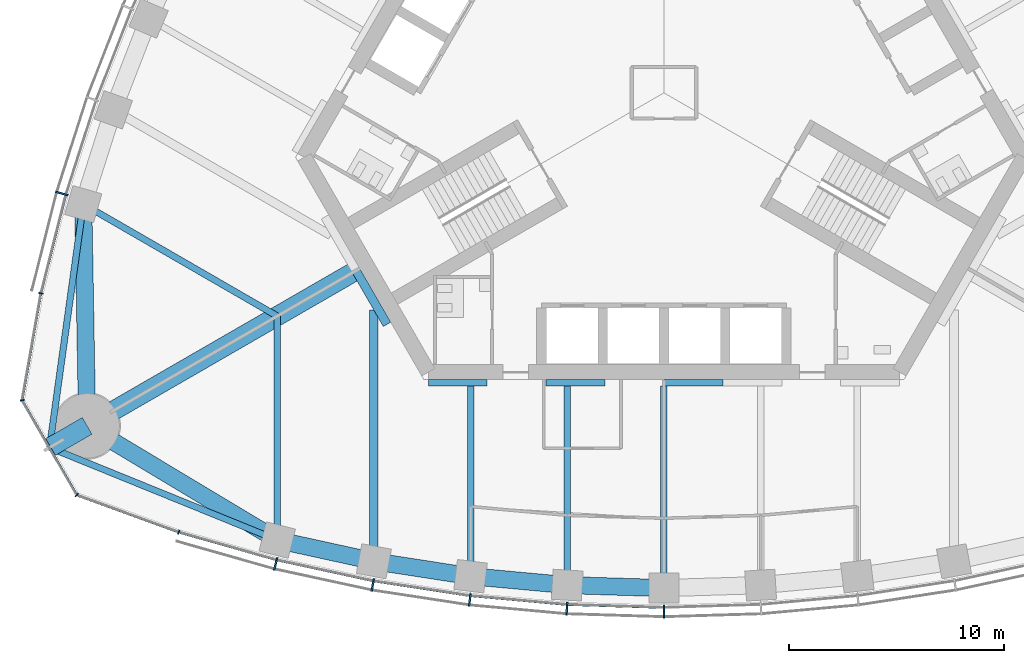
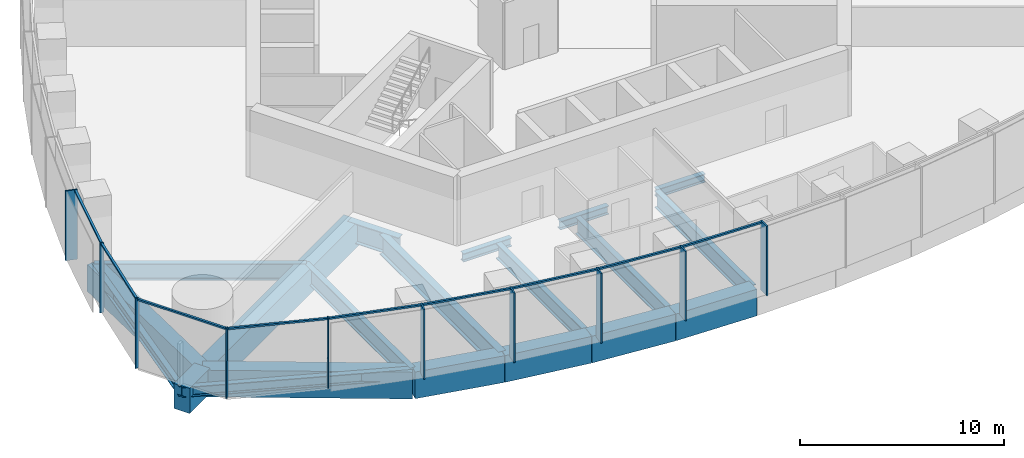
# One storey, part 2 of 15: 20 beams, 19 members, 3 elements without a shape of their own.
"""IFC4 building model written with IfcOpenShell, lengths in metres."""

from ifc_helpers import new_model, si_unit, direction, frame, origin, origin_2d, place, context, subcontext, project, spatial, rectangle, i_section, extrude, material, material_profile, profile_set, type_object, element, aggregate, save


model = new_model("IFC4")

# Units and contexts
model_context = context("Model", 3, precision=1e-05, world=origin(), true_north=direction((0.0, 1.0)))
body_context = subcontext(model_context, "Body", "Model", "MODEL_VIEW")
ifc_project = project(units=[si_unit("LENGTHUNIT", "METRE"), si_unit("AREAUNIT", "SQUARE_METRE"), si_unit("VOLUMEUNIT", "CUBIC_METRE"), si_unit("PLANEANGLEUNIT", "RADIAN"), si_unit("MASSUNIT", "GRAM", prefix="KILO")], contexts=[model_context])

# Site, building, storey
site_placement = place(None, origin())
site = spatial("IfcSite", under=ifc_project, at=site_placement, CompositionType="ELEMENT")
building_placement = place(site_placement, origin())
building = spatial("IfcBuilding", under=site, at=building_placement, Name="Trefoil Bronze Tower", CompositionType="ELEMENT")
storey_placement = place(building_placement, frame((0.0, 0.0, 288.89990234375)))
storey = spatial("IfcBuildingStorey", under=building, at=storey_placement, Name="L66", CompositionType="ELEMENT", Elevation=288.89990234375)

# Curtain wall, members
ifc_material_1 = material(Name="Tinted solar-control glass", Category="glass")
curtain_wall_type_1 = type_object("IfcCurtainWallType", Name="Bronze office curtain wall", PredefinedType="USERDEFINED", material=ifc_material_1)
curtain_wall_1_placement = place(storey_placement, origin())
curtain_wall_1 = element("IfcCurtainWall", 1, at=curtain_wall_1_placement, inside=storey, type_object=curtain_wall_type_1, Name="CW-A L66 F1", ObjectType="CURTAIN WALL", PredefinedType="USERDEFINED")
ifc_material_2 = material(Name="Bronze-finish aluminium", Category="aluminium")
ifc_material_profile_1 = material_profile(ifc_material_2, rectangle(XDim=0.60009765625, YDim=0.080078125, at=origin_2d()), Name="CW-A mullion")
ifc_profile_set_1 = profile_set([ifc_material_profile_1], Name="Bronze-finish aluminium")
member_type_1 = type_object("IfcMemberType", Name="Bronze office curtain wall mullion", PredefinedType="MULLION", material=ifc_profile_set_1)
member_1_placement = place(storey_placement, frame((-18.07275390625, -21.931884765625, 0.0), z_axis=(0.0, 0.0, 1.0), x_axis=(0.242394494031, 0.97017777199, 0.0)))
member_1 = element("IfcMember", 2, at=member_1_placement, type_object=member_type_1, Name="CW-A L66 F1 mullion 2", PredefinedType="MULLION", context=body_context, shape_type="SweptSolid", body=[
    extrude(rectangle(XDim=0.60009765625, YDim=0.080078125, at=origin_2d()), origin(), (0.0, 0.0, 1.0), 4.18017578125),
])
member_2_placement = place(storey_placement, frame((-13.554443359375, -22.911376953125, 0.0), z_axis=(0.0, 0.0, 1.0), x_axis=(0.181667218242, 0.983360067227, 0.0)))
member_2 = element("IfcMember", 3, at=member_2_placement, type_object=member_type_1, Name="CW-A L66 F1 mullion 3", PredefinedType="MULLION", context=body_context, shape_type="SweptSolid", body=[
    extrude(rectangle(XDim=0.60009765625, YDim=0.080078125, at=origin_2d()), origin(), (0.0, 0.0, 1.0), 4.18017578125),
])
member_3_placement = place(storey_placement, frame((-9.036376953125, -23.602783203125, 0.0), z_axis=(0.0, 0.0, 1.0), x_axis=(0.121109330868, 0.992639174109, 0.0)))
member_3 = element("IfcMember", 4, at=member_3_placement, type_object=member_type_1, Name="CW-A L66 F1 mullion 4", PredefinedType="MULLION", context=body_context, shape_type="SweptSolid", body=[
    extrude(rectangle(XDim=0.60009765625, YDim=0.080078125, at=origin_2d()), origin(), (0.0, 0.0, 1.0), 4.18017578125),
])
member_4_placement = place(storey_placement, frame((-4.51806640625, -24.014892578125, 0.0), z_axis=(0.0, 0.0, 1.0), x_axis=(0.060554040199, 0.998164920349, 0.0)))
member_4 = element("IfcMember", 5, at=member_4_placement, type_object=member_type_1, Name="CW-A L66 F1 mullion 5", PredefinedType="MULLION", context=body_context, shape_type="SweptSolid", body=[
    extrude(rectangle(XDim=0.60009765625, YDim=0.080078125, at=origin_2d()), origin(), (0.0, 0.0, 1.0), 4.18017578125),
])
member_5_placement = place(storey_placement, frame((0.0, -24.151611328125, 0.0), z_axis=(0.0, 0.0, 1.0), x_axis=(0.0, 1.0, 0.0)))
member_5 = element("IfcMember", 6, at=member_5_placement, type_object=member_type_1, Name="CW-A L66 F1 mullion 6", PredefinedType="MULLION", context=body_context, shape_type="SweptSolid", body=[
    extrude(rectangle(XDim=0.60009765625, YDim=0.080078125, at=origin_2d()), origin(), (0.0, 0.0, 1.0), 4.18017578125),
])

# Curtain wall, member
curtain_wall_2_placement = place(storey_placement, origin())
curtain_wall_2 = element("IfcCurtainWall", 7, at=curtain_wall_2_placement, inside=storey, type_object=curtain_wall_type_1, Name="CW-A L66 F3", ObjectType="CURTAIN WALL", PredefinedType="USERDEFINED")
member_6_placement = place(storey_placement, frame((-28.02978515625, -4.685546875, 0.0), z_axis=(0.0, 0.0, 1.0), x_axis=(0.961395843746, -0.275169096426, 0.0)))
member_6 = element("IfcMember", 8, at=member_6_placement, type_object=member_type_1, Name="CW-A L66 F3 mullion 10", PredefinedType="MULLION", context=body_context, shape_type="SweptSolid", body=[
    extrude(rectangle(XDim=0.60009765625, YDim=0.080078125, at=origin_2d()), origin(), (0.0, 0.0, 1.0), 4.18017578125),
])

# Member
ifc_material_3 = material(Name="Bronze-finish aluminium", Category="aluminium")
ifc_material_profile_2 = material_profile(ifc_material_3, rectangle(XDim=0.1201171875, YDim=0.10009765625, at=origin_2d()), Name="CW-A transom")
ifc_profile_set_2 = profile_set([ifc_material_profile_2], Name="Bronze-finish aluminium")
member_type_2 = type_object("IfcMemberType", Name="Bronze office curtain wall transom", PredefinedType="USERDEFINED", material=ifc_profile_set_2)
member_7_placement = place(storey_placement, frame((-22.537109375, -20.458740234375, 4.130126953125), z_axis=(0.962102611578, -0.272687668944, 0.0), x_axis=(0.272687668944, 0.962102611578, 0.0)))
member_7 = element("IfcMember", 9, at=member_7_placement, type_object=member_type_2, Name="CW-A L66 F1 transom 1", ObjectType="TRANSOM", PredefinedType="USERDEFINED", context=body_context, shape_type="SweptSolid", body=[
    extrude(rectangle(XDim=0.1201171875, YDim=0.10009765625, at=origin_2d()), origin(), (0.0, 0.0, 1.0), 4.6474609375),
])

member_8_placement = place(storey_placement, frame((-17.982177734375, -21.7470703125, 4.130126953125), z_axis=(0.977303780028, -0.211842681117, 0.0), x_axis=(0.211842681117, 0.977303780028, 0.0)))
member_8 = element("IfcMember", 10, at=member_8_placement, type_object=member_type_2, Name="CW-A L66 F1 transom 2", ObjectType="TRANSOM", PredefinedType="USERDEFINED", context=body_context, shape_type="SweptSolid", body=[
    extrude(rectangle(XDim=0.1201171875, YDim=0.10009765625, at=origin_2d()), origin(), (0.0, 0.0, 1.0), 4.524658203125),
])

member_9_placement = place(storey_placement, frame((-13.4755859375, -22.72119140625, 4.130126953125), z_axis=(0.988485016014, -0.151318779787, 0.0), x_axis=(0.151318779787, 0.988485016014, 0.0)))
member_9 = element("IfcMember", 11, at=member_9_placement, type_object=member_type_2, Name="CW-A L66 F1 transom 3", ObjectType="TRANSOM", PredefinedType="USERDEFINED", context=body_context, shape_type="SweptSolid", body=[
    extrude(rectangle(XDim=0.1201171875, YDim=0.10009765625, at=origin_2d()), origin(), (0.0, 0.0, 1.0), 4.472412109375),
])

member_10_placement = place(storey_placement, frame((-8.96923828125, -23.408203125, 4.130126953125), z_axis=(0.995868373079, -0.090808499059, 0.0), x_axis=(0.090808499059, 0.995868373079, 0.0)))
member_10 = element("IfcMember", 12, at=member_10_placement, type_object=member_type_2, Name="CW-A L66 F1 transom 4", ObjectType="TRANSOM", PredefinedType="USERDEFINED", context=body_context, shape_type="SweptSolid", body=[
    extrude(rectangle(XDim=0.1201171875, YDim=0.10009765625, at=origin_2d()), origin(), (0.0, 0.0, 1.0), 4.438720703125),
])

member_11_placement = place(storey_placement, frame((-4.463134765625, -23.81640625, 4.130126953125), z_axis=(0.99954057115, -0.030309183848, 0.0), x_axis=(0.030309183848, 0.99954057115, 0.0)))
member_11 = element("IfcMember", 13, at=member_11_placement, type_object=member_type_2, Name="CW-A L66 F1 transom 5", ObjectType="TRANSOM", PredefinedType="USERDEFINED", context=body_context, shape_type="SweptSolid", body=[
    extrude(rectangle(XDim=0.1201171875, YDim=0.10009765625, at=origin_2d()), origin(), (0.0, 0.0, 1.0), 4.422119140625),
])

aggregate(curtain_wall_1, [member_1, member_2, member_3, member_4, member_5, member_7, member_8, member_9, member_10, member_11])

member_12_placement = place(storey_placement, frame((-27.84814453125, -4.782470703125, 4.130126953125), z_axis=(-0.244908148095, -0.969546285123, 0.0), x_axis=(0.969546285123, -0.244908148095, 0.0)))
member_12 = element("IfcMember", 14, at=member_12_placement, type_object=member_type_2, Name="CW-A L66 F3 transom 10", ObjectType="TRANSOM", PredefinedType="USERDEFINED", context=body_context, shape_type="SweptSolid", body=[
    extrude(rectangle(XDim=0.1201171875, YDim=0.10009765625, at=origin_2d()), origin(), (0.0, 0.0, 1.0), 4.6474609375),
])

aggregate(curtain_wall_2, [member_6, member_12])

# Curtain wall, members
ifc_material_4 = material(Name="Tinted solar-control glass", Category="glass")
curtain_wall_type_2 = type_object("IfcCurtainWallType", Name="Bronze rounded corner curtain wall", PredefinedType="USERDEFINED", material=ifc_material_4)
curtain_wall_3_placement = place(storey_placement, origin())
curtain_wall_3 = element("IfcCurtainWall", 15, at=curtain_wall_3_placement, inside=storey, type_object=curtain_wall_type_2, Name="CW-B L66 K3", ObjectType="CURTAIN WALL", PredefinedType="USERDEFINED")
ifc_material_5 = material(Name="Bronze-finish aluminium", Category="aluminium")
ifc_material_profile_3 = material_profile(ifc_material_5, rectangle(XDim=0.199951171875, YDim=0.06005859375, at=origin_2d()), Name="CW-B mullion")
ifc_profile_set_3 = profile_set([ifc_material_profile_3], Name="Bronze-finish aluminium")
member_type_3 = type_object("IfcMemberType", Name="Bronze rounded corner curtain wall mullion", PredefinedType="MULLION", material=ifc_profile_set_3)
member_13_placement = place(storey_placement, frame((-28.99755859375, -9.334228515625, 0.0), z_axis=(0.0, 0.0, 1.0), x_axis=(0.984807753012, -0.173648177667, 0.0)))
member_13 = element("IfcMember", 16, at=member_13_placement, type_object=member_type_3, Name="CW-B L66 K3 mullion 1", PredefinedType="MULLION", context=body_context, shape_type="SweptSolid", body=[
    extrude(rectangle(XDim=0.199951171875, YDim=0.06005859375, at=origin_2d()), origin(), (0.0, 0.0, 1.0), 4.18017578125),
])
member_14_placement = place(storey_placement, frame((-29.86865234375, -14.30908203125, 0.0), z_axis=(0.0, 0.0, 1.0), x_axis=(0.984807753012, 0.173648177667, 0.0)))
member_14 = element("IfcMember", 17, at=member_14_placement, type_object=member_type_3, Name="CW-B L66 K3 mullion 2", PredefinedType="MULLION", context=body_context, shape_type="SweptSolid", body=[
    extrude(rectangle(XDim=0.199951171875, YDim=0.06005859375, at=origin_2d()), origin(), (0.0, 0.0, 1.0), 4.18017578125),
])
member_15_placement = place(storey_placement, frame((-27.326416015625, -18.712646484375, 0.0), z_axis=(0.0, 0.0, 1.0), x_axis=(0.642787609687, 0.766044443119, 0.0)))
member_15 = element("IfcMember", 18, at=member_15_placement, type_object=member_type_3, Name="CW-B L66 K3 mullion 3", PredefinedType="MULLION", context=body_context, shape_type="SweptSolid", body=[
    extrude(rectangle(XDim=0.199951171875, YDim=0.06005859375, at=origin_2d()), origin(), (0.0, 0.0, 1.0), 4.18017578125),
])
member_16_placement = place(storey_placement, frame((-22.58251953125, -20.445556640625, 0.0), z_axis=(0.0, 0.0, 1.0), x_axis=(0.342020143326, 0.939692620786, 0.0)))
member_16 = element("IfcMember", 19, at=member_16_placement, type_object=member_type_3, Name="CW-B L66 K3 mullion 4", PredefinedType="MULLION", context=body_context, shape_type="SweptSolid", body=[
    extrude(rectangle(XDim=0.199951171875, YDim=0.06005859375, at=origin_2d()), origin(), (0.0, 0.0, 1.0), 4.18017578125),
])
ifc_material_6 = material(Name="Bronze-finish aluminium", Category="aluminium")
ifc_material_profile_4 = material_profile(ifc_material_6, rectangle(XDim=0.1201171875, YDim=0.10009765625, at=origin_2d()), Name="CW-B transom")
ifc_profile_set_4 = profile_set([ifc_material_profile_4], Name="Bronze-finish aluminium")
member_type_4 = type_object("IfcMemberType", Name="Bronze rounded corner curtain wall transom", PredefinedType="USERDEFINED", material=ifc_profile_set_4)
member_17_placement = place(storey_placement, frame((-29.0029296875, -9.36376953125, 4.130126953125), z_axis=(-0.173633591509, -0.984810324834, 0.0), x_axis=(0.984810324834, -0.173633591509, 0.0)))
member_17 = element("IfcMember", 20, at=member_17_placement, type_object=member_type_4, Name="CW-B L66 K3 transom 1", ObjectType="TRANSOM", PredefinedType="USERDEFINED", context=body_context, shape_type="SweptSolid", body=[
    extrude(rectangle(XDim=0.1201171875, YDim=0.10009765625, at=origin_2d()), origin(), (0.0, 0.0, 1.0), 4.956298828125),
])
member_18_placement = place(storey_placement, frame((-29.841796875, -14.36767578125, 4.130126953125), z_axis=(0.499985403706, -0.866033830794, 0.0), x_axis=(0.866033830794, 0.499985403706, 0.0)))
member_18 = element("IfcMember", 21, at=member_18_placement, type_object=member_type_4, Name="CW-B L66 K3 transom 2", ObjectType="TRANSOM", PredefinedType="USERDEFINED", context=body_context, shape_type="SweptSolid", body=[
    extrude(rectangle(XDim=0.1201171875, YDim=0.10009765625, at=origin_2d()), origin(), (0.0, 0.0, 1.0), 4.956298828125),
])
member_19_placement = place(storey_placement, frame((-27.26806640625, -18.740234375, 4.130126953125), z_axis=(0.93969990549, -0.342000128103, 0.0), x_axis=(0.342000128103, 0.93969990549, 0.0)))
member_19 = element("IfcMember", 22, at=member_19_placement, type_object=member_type_4, Name="CW-B L66 K3 transom 3", ObjectType="TRANSOM", PredefinedType="USERDEFINED", context=body_context, shape_type="SweptSolid", body=[
    extrude(rectangle(XDim=0.1201171875, YDim=0.10009765625, at=origin_2d()), origin(), (0.0, 0.0, 1.0), 4.956298828125),
])
aggregate(curtain_wall_3, [member_13, member_14, member_15, member_16, member_17, member_18, member_19])

# Beams
ifc_material_7 = material(Name="Steel C355", Category="steel")
ifc_material_profile_5 = material_profile(ifc_material_7, i_section(OverallWidth=0.300048828125, OverallDepth=0.5, WebThickness=0.014404296875, FlangeThickness=0.028076171875, FilletRadius=0.027099609375, at=origin_2d()), Name="HEB 500")
ifc_profile_set_5 = profile_set([ifc_material_profile_5], Name="Steel C355")
beam_type_1 = type_object("IfcBeamType", Name="Core seat beam HEB 500", PredefinedType="BEAM", material=ifc_profile_set_5)
for number, where, z_axis, x_axis, name in (
    (23, (-10.9697265625, -13.5, -0.449951171875), (1.0, 0.0, 0.0), (0.0, 1.0, 0.0), "Core seat beam F1/-2 L66"),
    (24, (-5.48486328125, -13.5, -0.449951171875), (1.0, 0.0, 0.0), (0.0, 1.0, 0.0), "Core seat beam F1/-1 L66"),
    (25, (0.0, -13.5, -0.449951171875), (1.0, 0.0, 0.0), (0.0, 1.0, 0.0), "Core seat beam F1/+0 L66"),
):
    element("IfcBeam", number, at=place(storey_placement, frame(where, z_axis=z_axis, x_axis=x_axis)), inside=storey, type_object=beam_type_1, Name=name, PredefinedType="BEAM", context=body_context, shape_type="SweptSolid", body=[
        extrude(i_section(OverallWidth=0.300048828125, OverallDepth=0.5, WebThickness=0.014404296875, FlangeThickness=0.028076171875, FilletRadius=0.027099609375, at=origin_2d()), origin(), (0.0, 0.0, 1.0), 2.742431640625),
    ])
ifc_material_8 = material(Name="Steel C355", Category="steel")
ifc_material_profile_6 = material_profile(ifc_material_8, i_section(OverallWidth=0.39990234375, OverallDepth=1.199951171875, WebThickness=0.02001953125, FlangeThickness=0.0400390625, FilletRadius=0.010009765625, at=origin_2d()), Name="WPG 1200")
ifc_profile_set_6 = profile_set([ifc_material_profile_6], Name="Steel C355")
beam_type_2 = type_object("IfcBeamType", Name="Core seat beam WPG 1200", PredefinedType="BEAM", material=ifc_profile_set_6)
beam_1_placement = place(storey_placement, frame((-14.332763671875, -8.27490234375, -0.7998046875), z_axis=(0.499995765644, -0.866027848477, 0.0), x_axis=(0.866027848477, 0.499995765644, 0.0)))
element("IfcBeam", 26, at=beam_1_placement, inside=storey, type_object=beam_type_2, Name="Core seat beam F1/-3 L66", PredefinedType="BEAM", context=body_context, shape_type="SweptSolid", body=[
    extrude(i_section(OverallWidth=0.39990234375, OverallDepth=1.199951171875, WebThickness=0.02001953125, FlangeThickness=0.0400390625, FilletRadius=0.010009765625, at=origin_2d()), origin(), (0.0, 0.0, 1.0), 2.88671875),
])
ifc_material_9 = material(Name="Concrete B80", Category="concrete")
ifc_material_profile_7 = material_profile(ifc_material_9, rectangle(XDim=0.89990234375, YDim=1.5, at=origin_2d()), Name="RC 900x1500")
ifc_profile_set_7 = profile_set([ifc_material_profile_7], Name="Concrete B80")
beam_type_3 = type_object("IfcBeamType", Name="Corner cantilever RC 900x1500", PredefinedType="BEAM", material=ifc_profile_set_7)
beam_2_placement = place(storey_placement, frame((-26.8466796875, -15.5, -0.949951171875), z_axis=(-0.866010470582, -0.500025864173, 0.0), x_axis=(0.500025864173, -0.866010470582, 0.0)))
element("IfcBeam", 27, at=beam_2_placement, inside=storey, type_object=beam_type_3, Name="Corner cantilever K3 L66", PredefinedType="BEAM", context=body_context, shape_type="SweptSolid", body=[
    extrude(rectangle(XDim=0.89990234375, YDim=1.5, at=origin_2d()), origin(), (0.0, 0.0, 1.0), 2.02001953125),
])
ifc_material_10 = material(Name="Steel C355", Category="steel")
ifc_material_profile_8 = material_profile(ifc_material_10, i_section(OverallWidth=0.300048828125, OverallDepth=0.60009765625, WebThickness=0.015380859375, FlangeThickness=0.030029296875, FilletRadius=0.027099609375, at=origin_2d()), Name="HEB 600")
ifc_profile_set_8 = profile_set([ifc_material_profile_8], Name="Steel C355")
beam_type_4 = type_object("IfcBeamType", Name="Corner edge beam HEB 600", PredefinedType="BEAM", material=ifc_profile_set_8)
beam_3_placement = place(storey_placement, frame((-18.0, -20.816162109375, -0.5), z_axis=(-0.926419351914, 0.376493272714, 0.0), x_axis=(-0.376493272714, -0.926419351914, 0.0)))
element("IfcBeam", 28, at=beam_3_placement, inside=storey, type_object=beam_type_4, Name="Corner edge beam F1B L66", PredefinedType="BEAM", context=body_context, shape_type="SweptSolid", body=[
    extrude(i_section(OverallWidth=0.300048828125, OverallDepth=0.60009765625, WebThickness=0.015380859375, FlangeThickness=0.030029296875, FilletRadius=0.027099609375, at=origin_2d()), origin(), (0.0, 0.0, 1.0), 11.4375),
])
beam_4_placement = place(storey_placement, frame((-27.02734375, -5.180419921875, -0.5), z_axis=(-0.137143714313, -0.990551160529, 0.0), x_axis=(0.990551160529, -0.137143714313, 0.0)))
element("IfcBeam", 29, at=beam_4_placement, inside=storey, type_object=beam_type_4, Name="Corner edge beam F3A L66", PredefinedType="BEAM", context=body_context, shape_type="SweptSolid", body=[
    extrude(i_section(OverallWidth=0.300048828125, OverallDepth=0.60009765625, WebThickness=0.015380859375, FlangeThickness=0.030029296875, FilletRadius=0.027099609375, at=origin_2d()), origin(), (0.0, 0.0, 1.0), 11.437744140625),
])
ifc_material_11 = material(Name="Concrete B80", Category="concrete")
ifc_material_profile_9 = material_profile(ifc_material_11, rectangle(XDim=0.89990234375, YDim=1.5, at=origin_2d()), Name="RC 900x1500")
ifc_profile_set_9 = profile_set([ifc_material_profile_9], Name="Concrete B80")
beam_type_5 = type_object("IfcBeamType", Name="Corner girder RC 900x1500", PredefinedType="BEAM", material=ifc_profile_set_9)
beam_5_placement = place(storey_placement, frame((-14.159423828125, -8.175048828125, -0.949951171875), z_axis=(-0.866026568746, -0.499997982221, 0.0), x_axis=(0.499997982221, -0.866026568746, 0.0)))
element("IfcBeam", 30, at=beam_5_placement, inside=storey, type_object=beam_type_5, Name="Corner girder K3 L66", PredefinedType="BEAM", context=body_context, shape_type="SweptSolid", body=[
    extrude(rectangle(XDim=0.89990234375, YDim=1.5, at=origin_2d()), origin(), (0.0, 0.0, 1.0), 14.64990234375),
])
ifc_material_12 = material(Name="Concrete B80", Category="concrete")
ifc_material_profile_10 = material_profile(ifc_material_12, rectangle(XDim=0.800048828125, YDim=1.60009765625, at=origin_2d()), Name="RC 800x1600")
ifc_profile_set_10 = profile_set([ifc_material_profile_10], Name="Concrete B80")
beam_type_6 = type_object("IfcBeamType", Name="End spandrel beam RC 800x1600", PredefinedType="SPANDREL", material=ifc_profile_set_10)
for number, where, z_axis, x_axis, name in (
    (31, (-26.8466796875, -15.5, -1.0), (0.857144173035, -0.515076563855, 0.0), (0.515076563855, 0.857144173035, 0.0), "Spandrel F1.1 L66"),
    (32, (-27.02734375, -5.180419921875, -1.0), (0.017504237714, -0.999846789094, 0.0), (0.999846789094, 0.017504237714, 0.0), "Spandrel F3.10 L66"),
):
    element("IfcBeam", number, at=place(storey_placement, frame(where, z_axis=z_axis, x_axis=x_axis)), inside=storey, type_object=beam_type_6, Name=name, PredefinedType="SPANDREL", context=body_context, shape_type="SweptSolid", body=[
        extrude(rectangle(XDim=0.800048828125, YDim=1.60009765625, at=origin_2d()), origin(), (0.0, 0.0, 1.0), 10.321044921875),
    ])
ifc_material_13 = material(Name="Steel C355", Category="steel")
ifc_material_profile_11 = material_profile(ifc_material_13, i_section(OverallWidth=0.300048828125, OverallDepth=1.0, WebThickness=0.01904296875, FlangeThickness=0.035888671875, FilletRadius=0.030029296875, at=origin_2d()), Name="HEB 1000")
ifc_profile_set_11 = profile_set([ifc_material_profile_11], Name="Steel C355")
beam_type_7 = type_object("IfcBeamType", Name="Floor beam HEB 1000", PredefinedType="BEAM", material=ifc_profile_set_11)
beam_6_placement = place(storey_placement, frame((-4.5, -22.913818359375, -0.699951171875), z_axis=(0.0, 1.0, 0.0), x_axis=(-1.0, 0.0, 0.0)))
element("IfcBeam", 33, at=beam_6_placement, inside=storey, type_object=beam_type_7, Name="Floor beam F1/-1 L66", PredefinedType="BEAM", context=body_context, shape_type="SweptSolid", body=[
    extrude(i_section(OverallWidth=0.300048828125, OverallDepth=1.0, WebThickness=0.01904296875, FlangeThickness=0.035888671875, FilletRadius=0.030029296875, at=origin_2d()), origin(), (0.0, 0.0, 1.0), 9.263916015625),
])
beam_7_placement = place(storey_placement, frame((0.0, -23.051513671875, -0.699951171875), z_axis=(0.0, 1.0, 0.0), x_axis=(-1.0, 0.0, 0.0)))
element("IfcBeam", 34, at=beam_7_placement, inside=storey, type_object=beam_type_7, Name="Floor beam F1/+0 L66", PredefinedType="BEAM", context=body_context, shape_type="SweptSolid", body=[
    extrude(i_section(OverallWidth=0.300048828125, OverallDepth=1.0, WebThickness=0.01904296875, FlangeThickness=0.035888671875, FilletRadius=0.030029296875, at=origin_2d()), origin(), (0.0, 0.0, 1.0), 9.401611328125),
])
ifc_material_14 = material(Name="Steel C355", Category="steel")
ifc_material_profile_12 = material_profile(ifc_material_14, i_section(OverallWidth=0.300048828125, OverallDepth=0.89990234375, WebThickness=0.0185546875, FlangeThickness=0.034912109375, FilletRadius=0.030029296875, at=origin_2d()), Name="HEB 900")
ifc_profile_set_12 = profile_set([ifc_material_profile_12], Name="Steel C355")
beam_type_8 = type_object("IfcBeamType", Name="Floor beam HEB 900", PredefinedType="BEAM", material=ifc_profile_set_12)
beam_8_placement = place(storey_placement, frame((-9.0, -22.499267578125, -0.64990234375), z_axis=(0.0, 1.0, 0.0), x_axis=(-1.0, 0.0, 0.0)))
element("IfcBeam", 35, at=beam_8_placement, inside=storey, type_object=beam_type_8, Name="Floor beam F1/-2 L66", PredefinedType="BEAM", context=body_context, shape_type="SweptSolid", body=[
    extrude(i_section(OverallWidth=0.300048828125, OverallDepth=0.89990234375, WebThickness=0.0185546875, FlangeThickness=0.034912109375, FilletRadius=0.030029296875, at=origin_2d()), origin(), (0.0, 0.0, 1.0), 8.849365234375),
])
ifc_material_15 = material(Name="Steel C355", Category="steel")
ifc_material_profile_13 = material_profile(ifc_material_15, i_section(OverallWidth=0.302001953125, OverallDepth=1.008056640625, WebThickness=0.02099609375, FlangeThickness=0.0400390625, FilletRadius=0.030029296875, at=origin_2d()), Name="HEM 1000")
ifc_profile_set_13 = profile_set([ifc_material_profile_13], Name="Steel C355")
beam_type_9 = type_object("IfcBeamType", Name="Floor beam HEM 1000", PredefinedType="BEAM", material=ifc_profile_set_13)
for number, where, z_axis, x_axis, name in (
    (36, (-18.0, -20.816162109375, -0.703857421875), (0.0, 1.0, 0.0), (-1.0, 0.0, 0.0), "Floor beam F1/-4 L66"),
    (37, (-27.02734375, -5.180419921875, -0.703857421875), (0.866026453994, -0.499998180979, 0.0), (0.499998180979, 0.866026453994, 0.0), "Floor beam F3/+4 L66"),
):
    element("IfcBeam", number, at=place(storey_placement, frame(where, z_axis=z_axis, x_axis=x_axis)), inside=storey, type_object=beam_type_9, Name=name, PredefinedType="BEAM", context=body_context, shape_type="SweptSolid", body=[
        extrude(i_section(OverallWidth=0.302001953125, OverallDepth=1.008056640625, WebThickness=0.02099609375, FlangeThickness=0.0400390625, FilletRadius=0.030029296875, at=origin_2d()), origin(), (0.0, 0.0, 1.0), 10.423828125),
    ])
ifc_material_16 = material(Name="Steel C355", Category="steel")
ifc_material_profile_14 = material_profile(ifc_material_16, i_section(OverallWidth=0.39990234375, OverallDepth=1.199951171875, WebThickness=0.02001953125, FlangeThickness=0.0400390625, FilletRadius=0.010009765625, at=origin_2d()), Name="WPG 1200")
ifc_profile_set_14 = profile_set([ifc_material_profile_14], Name="Steel C355")
beam_type_10 = type_object("IfcBeamType", Name="Floor beam WPG 1200", PredefinedType="BEAM", material=ifc_profile_set_14)
beam_9_placement = place(storey_placement, frame((-13.5, -21.802734375, -0.7998046875), z_axis=(0.0, 1.0, 0.0), x_axis=(-1.0, 0.0, 0.0)))
element("IfcBeam", 38, at=beam_9_placement, inside=storey, type_object=beam_type_10, Name="Floor beam F1/-3 L66", PredefinedType="BEAM", context=body_context, shape_type="SweptSolid", body=[
    extrude(i_section(OverallWidth=0.39990234375, OverallDepth=1.199951171875, WebThickness=0.02001953125, FlangeThickness=0.0400390625, FilletRadius=0.010009765625, at=origin_2d()), origin(), (0.0, 0.0, 1.0), 11.685302734375),
])
ifc_material_17 = material(Name="Concrete B80", Category="concrete")
ifc_material_profile_15 = material_profile(ifc_material_17, rectangle(XDim=0.800048828125, YDim=1.60009765625, at=origin_2d()), Name="RC 800x1600")
ifc_profile_set_15 = profile_set([ifc_material_profile_15], Name="Concrete B80")
beam_type_11 = type_object("IfcBeamType", Name="Spandrel beam RC 800x1600", PredefinedType="SPANDREL", material=ifc_profile_set_15)
beam_10_placement = place(storey_placement, frame((-18.0, -20.816162109375, -1.0), z_axis=(0.976800342355, -0.214152028182, 0.0), x_axis=(0.214152028182, 0.976800342355, 0.0)))
element("IfcBeam", 39, at=beam_10_placement, inside=storey, type_object=beam_type_11, Name="Spandrel F1.2 L66", PredefinedType="SPANDREL", context=body_context, shape_type="SweptSolid", body=[
    extrude(rectangle(XDim=0.800048828125, YDim=1.60009765625, at=origin_2d()), origin(), (0.0, 0.0, 1.0), 4.60693359375),
])
beam_11_placement = place(storey_placement, frame((-13.5, -21.802734375, -1.0), z_axis=(0.988231820946, -0.152963616816, 0.0), x_axis=(0.152963616816, 0.988231820946, 0.0)))
element("IfcBeam", 40, at=beam_11_placement, inside=storey, type_object=beam_type_11, Name="Spandrel F1.3 L66", PredefinedType="SPANDREL", context=body_context, shape_type="SweptSolid", body=[
    extrude(rectangle(XDim=0.800048828125, YDim=1.60009765625, at=origin_2d()), origin(), (0.0, 0.0, 1.0), 4.553466796875),
])
beam_12_placement = place(storey_placement, frame((-9.0, -22.499267578125, -1.0), z_axis=(0.995783550481, -0.091733966402, 0.0), x_axis=(0.091733966402, 0.995783550481, 0.0)))
element("IfcBeam", 41, at=beam_12_placement, inside=storey, type_object=beam_type_11, Name="Spandrel F1.4 L66", PredefinedType="SPANDREL", context=body_context, shape_type="SweptSolid", body=[
    extrude(rectangle(XDim=0.800048828125, YDim=1.60009765625, at=origin_2d()), origin(), (0.0, 0.0, 1.0), 4.51904296875),
])
beam_13_placement = place(storey_placement, frame((-4.5, -22.913818359375, -1.0), z_axis=(0.999532180362, -0.03058464354, 0.0), x_axis=(0.03058464354, 0.999532180362, 0.0)))
element("IfcBeam", 42, at=beam_13_placement, inside=storey, type_object=beam_type_11, Name="Spandrel F1.5 L66", PredefinedType="SPANDREL", context=body_context, shape_type="SweptSolid", body=[
    extrude(rectangle(XDim=0.800048828125, YDim=1.60009765625, at=origin_2d()), origin(), (0.0, 0.0, 1.0), 4.502197265625),
])

save(model, "model.ifc")
